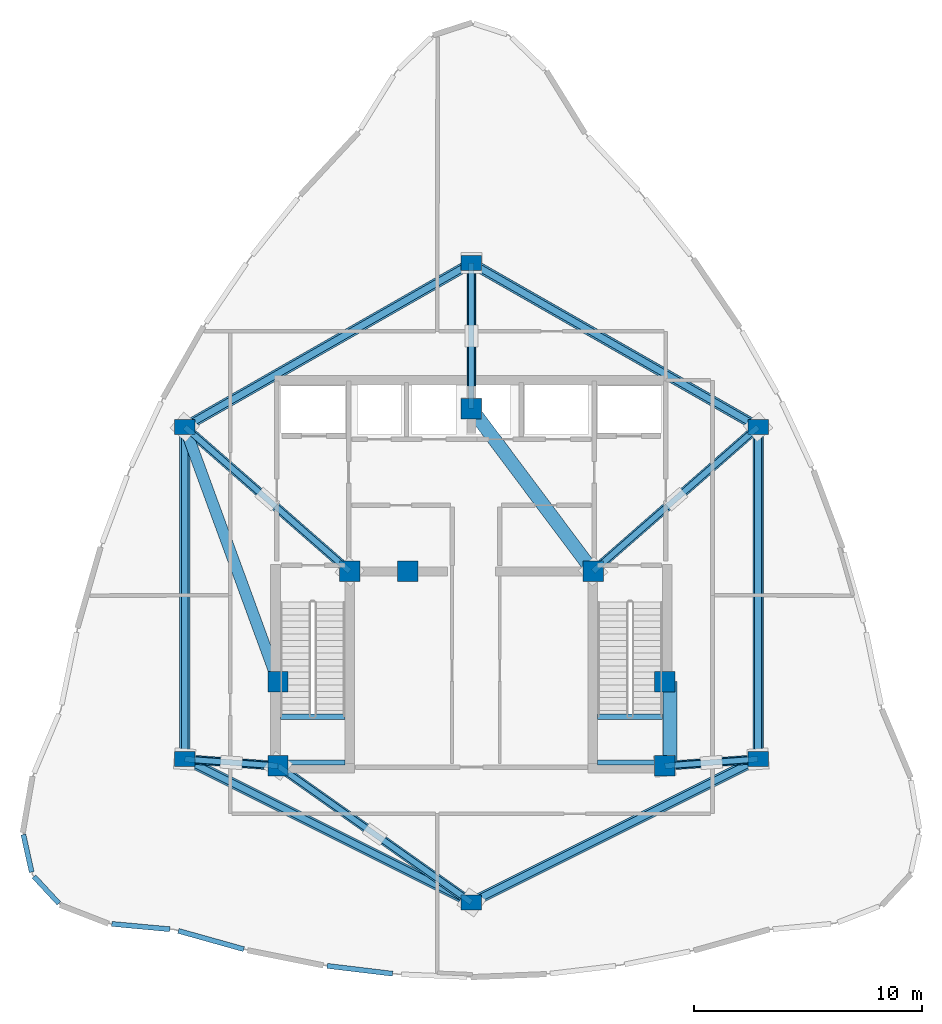
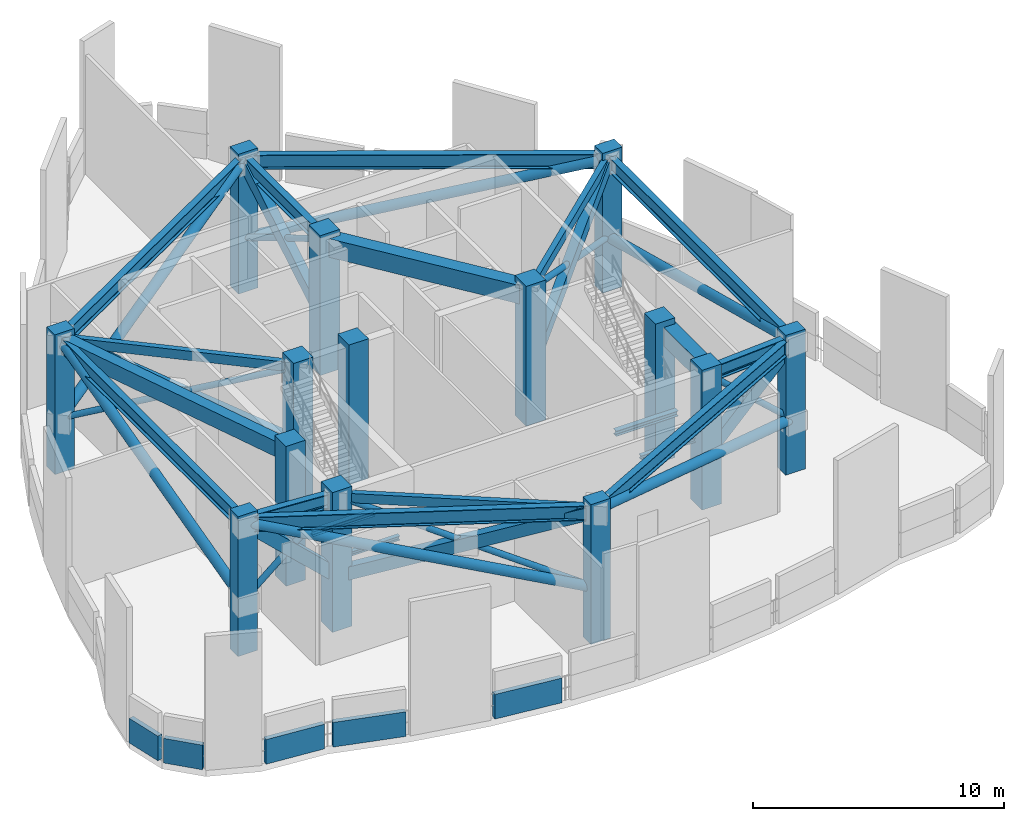
# One storey, part 1 of 8: 30 members, 16 beams, 14 columns, 5 plates.
"""IFC4 building model written with IfcOpenShell, lengths in metres."""

from ifc_helpers import new_model, si_unit, direction, frame, origin, origin_2d, place, context, subcontext, project, spatial, rectangle, hollow_rectangle, hollow_circle, i_section, extrude, material, layer, layer_set, material_profile, profile_set, type_object, element, save


model = new_model("IFC4")

# Units and contexts
model_context = context("Model", 3, precision=1e-05, world=origin(), true_north=direction((0.0, 1.0)))
body_context = subcontext(model_context, "Body", "Model", "MODEL_VIEW")
ifc_project = project(units=[si_unit("LENGTHUNIT", "METRE"), si_unit("AREAUNIT", "SQUARE_METRE"), si_unit("VOLUMEUNIT", "CUBIC_METRE"), si_unit("PLANEANGLEUNIT", "RADIAN"), si_unit("MASSUNIT", "GRAM", prefix="KILO")], contexts=[model_context])

# Site, building, storey
site_placement = place(None, origin())
site = spatial("IfcSite", under=ifc_project, at=site_placement, CompositionType="ELEMENT")
building_placement = place(site_placement, origin())
building = spatial("IfcBuilding", under=site, at=building_placement, Name="Miruveldt Soraemaru", CompositionType="ELEMENT")
storey_placement = place(building_placement, frame((0.0, 0.0, 282.800048828125)))
storey = spatial("IfcBuildingStorey", under=building, at=storey_placement, Name="L77", CompositionType="ELEMENT", Elevation=282.800048828125)

# Columns
ifc_material_1 = material(Name="Concrete C50/60 (50 MPa)", Category="concrete")
ifc_material_profile_1 = material_profile(ifc_material_1, rectangle(XDim=0.89990234375, YDim=0.89990234375, at=origin_2d()), Name="Concrete C50/60 (50 MPa)", Category="concrete")
ifc_profile_set_1 = profile_set([ifc_material_profile_1], Name="Concrete C50/60 (50 MPa)")
column_type_1 = type_object("IfcColumnType", Name="COL-CORE-900", PredefinedType="COLUMN", material=ifc_profile_set_1)
for number, where, z_axis, x_axis, name in (
    (1, (35.5, 35.5, 0.0), (0.0, 0.0, 1.0), (1.0, 0.0, 0.0), "L77 Structural Column CC1"),
    (2, (38.64990234375, 44.050048828125, 0.0), (0.0, 0.0, 1.0), (1.0, 0.0, 0.0), "L77 Structural Column CC2"),
    (3, (52.5, 35.5, 0.0), (0.0, 0.0, 1.0), (1.0, 0.0, 0.0), "L77 Structural Column CC3"),
    (4, (52.5, 39.199951171875, 0.0), (0.0, 0.0, 1.0), (1.0, 0.0, 0.0), "L77 Structural Column CC4"),
    (5, (49.35009765625, 44.050048828125, 0.0), (0.0, 0.0, 1.0), (1.0, 0.0, 0.0), "L77 Structural Column CC5"),
    (6, (44.0, 51.199951171875, 0.0), (0.0, 0.0, 1.0), (1.0, 0.0, 0.0), "L77 Structural Column CC6"),
    (7, (35.5, 39.199951171875, 0.0), (0.0, 0.0, 1.0), (1.0, 0.0, 0.0), "L77 Structural Column CC7"),
    (8, (41.199951171875, 44.050048828125, 0.0), (0.0, 0.0, 1.0), (1.0, 0.0, 0.0), "L77 Structural Column CC8"),
):
    element("IfcColumn", number, at=place(storey_placement, frame(where, z_axis=z_axis, x_axis=x_axis)), inside=storey, type_object=column_type_1, Name=name, PredefinedType="COLUMN", context=body_context, shape_type="SweptSolid", body=[
        extrude(rectangle(XDim=0.89990234375, YDim=0.89990234375, at=origin_2d()), origin(), (0.0, 0.0, 1.0), 6.800048828125),
    ])
ifc_material_profile_2 = material_profile(ifc_material_1, rectangle(XDim=0.89990234375, YDim=0.64990234375, at=origin_2d()), Name="Concrete C50/60 (50 MPa)", Category="concrete")
ifc_profile_set_2 = profile_set([ifc_material_profile_2], Name="Concrete C50/60 (50 MPa)")
column_type_2 = type_object("IfcColumnType", Name="COL-TW-Z4", PredefinedType="COLUMN", material=ifc_profile_set_2)
for number, where, z_axis, x_axis, name in (
    (9, (44.0, 57.60009765625, 0.0), (0.0, 0.0, 1.0), (1.0, 0.0, 0.0), "L77 Structural Column IR01"),
    (10, (56.60009765625, 50.39990234375, 0.0), (0.0, 0.0, 1.0), (1.0, 0.0, 0.0), "L77 Structural Column IR02"),
    (11, (56.60009765625, 35.800048828125, 0.0), (0.0, 0.0, 1.0), (1.0, 0.0, 0.0), "L77 Structural Column IR03"),
    (12, (44.0, 29.5, 0.0), (0.0, 0.0, 1.0), (1.0, 0.0, 0.0), "L77 Structural Column IR04"),
    (13, (31.39990234375, 35.800048828125, 0.0), (0.0, 0.0, 1.0), (1.0, 0.0, 0.0), "L77 Structural Column IR05"),
    (14, (31.39990234375, 50.39990234375, 0.0), (0.0, 0.0, 1.0), (1.0, 0.0, 0.0), "L77 Structural Column IR06"),
):
    element("IfcColumn", number, at=place(storey_placement, frame(where, z_axis=z_axis, x_axis=x_axis)), inside=storey, type_object=column_type_2, Name=name, PredefinedType="COLUMN", context=body_context, shape_type="SweptSolid", body=[
        extrude(rectangle(XDim=0.89990234375, YDim=0.64990234375, at=origin_2d()), origin(), (0.0, 0.0, 1.0), 6.800048828125),
    ])

# Beams
ifc_material_2 = material(Name="Concrete C40/50 (40 MPa)", Category="concrete")
ifc_material_profile_3 = material_profile(ifc_material_2, rectangle(XDim=0.5, YDim=0.75, at=origin_2d()), Name="Concrete C40/50 (40 MPa)", Category="concrete")
ifc_profile_set_3 = profile_set([ifc_material_profile_3], Name="Concrete C40/50 (40 MPa)")
beam_type_1 = type_object("IfcBeamType", Name="BM-RC-500x750", PredefinedType="LINTEL", material=ifc_profile_set_3)
beam_1_placement = place(storey_placement, frame((31.39990234375, 50.39990234375, 6.135009765625), z_axis=(0.343770424598, -0.939053723262, 0.0), x_axis=(0.939053723262, 0.343770424598, 0.0)))
element("IfcBeam", 15, at=beam_1_placement, inside=storey, type_object=beam_type_1, Name="L77 West Lobby Lintel", PredefinedType="LINTEL", context=body_context, shape_type="SweptSolid", body=[
    extrude(rectangle(XDim=0.5, YDim=0.75, at=origin_2d()), origin(), (0.0, 0.0, 1.0), 11.9267578125),
])
ifc_material_3 = material(Name="Concrete C60/75 (60 MPa)", Category="concrete")
ifc_material_profile_4 = material_profile(ifc_material_3, rectangle(XDim=0.60009765625, YDim=0.89990234375, at=origin_2d()), Name="Concrete C60/75 (60 MPa)", Category="concrete")
ifc_profile_set_4 = profile_set([ifc_material_profile_4], Name="Concrete C60/75 (60 MPa)")
beam_type_2 = type_object("IfcBeamType", Name="BM-RC-600x900", PredefinedType="BEAM", material=ifc_profile_set_4)
beam_2_placement = place(storey_placement, frame((52.72998046875, 35.5, 6.06005859375), z_axis=(0.0, 1.0, 0.0), x_axis=(-1.0, 0.0, 0.0)))
element("IfcBeam", 16, at=beam_2_placement, inside=storey, type_object=beam_type_2, Name="L77 Core Tie Beam 3", PredefinedType="BEAM", context=body_context, shape_type="SweptSolid", body=[
    extrude(rectangle(XDim=0.60009765625, YDim=0.89990234375, at=origin_2d()), origin(), (0.0, 0.0, 1.0), 3.699951171875),
])
beam_3_placement = place(storey_placement, frame((49.35009765625, 44.050048828125, 6.06005859375), z_axis=(-0.599116023999, 0.800662219533, 0.0), x_axis=(-0.800662219533, -0.599116023999, 0.0)))
element("IfcBeam", 17, at=beam_3_placement, inside=storey, type_object=beam_type_2, Name="L77 Core Tie Beam 5", PredefinedType="BEAM", context=body_context, shape_type="SweptSolid", body=[
    extrude(rectangle(XDim=0.60009765625, YDim=0.89990234375, at=origin_2d()), origin(), (0.0, 0.0, 1.0), 8.929931640625),
])
ifc_material_4 = material(Name="Steel SM355 (355 MPa)", Category="steel")
ifc_material_profile_5 = material_profile(ifc_material_4, i_section(OverallWidth=0.300048828125, OverallDepth=0.699951171875, WebThickness=0.012939453125, FlangeThickness=0.02392578125, FilletRadius=0.028076171875, at=origin_2d()), Name="Steel SM355 (355 MPa)", Category="steel")
ifc_profile_set_5 = profile_set([ifc_material_profile_5], Name="Steel SM355 (355 MPa)")
beam_type_3 = type_object("IfcBeamType", Name="BM-ST-H700", PredefinedType="BEAM", material=ifc_profile_set_5)
beam_4_placement = place(storey_placement, frame((44.0, 57.60009765625, 6.159912109375), z_axis=(0.868239001029, -0.496146185203, 0.0), x_axis=(0.496146185203, 0.868239001029, 0.0)))
element("IfcBeam", 18, at=beam_4_placement, inside=storey, type_object=beam_type_3, Name="L77 Inner Ring Girder 1", PredefinedType="BEAM", context=body_context, shape_type="SweptSolid", body=[
    extrude(i_section(OverallWidth=0.300048828125, OverallDepth=0.699951171875, WebThickness=0.012939453125, FlangeThickness=0.02392578125, FilletRadius=0.028076171875, at=origin_2d()), origin(), (0.0, 0.0, 1.0), 14.51220703125),
])
beam_5_placement = place(storey_placement, frame((44.0, 51.199951171875, 6.159912109375), z_axis=(0.0, 1.0, 0.0), x_axis=(-1.0, 0.0, 0.0)))
element("IfcBeam", 19, at=beam_5_placement, inside=storey, type_object=beam_type_3, Name="L77 Core-to-Inner Radial Girder 1", PredefinedType="BEAM", context=body_context, shape_type="SweptSolid", body=[
    extrude(i_section(OverallWidth=0.300048828125, OverallDepth=0.699951171875, WebThickness=0.012939453125, FlangeThickness=0.02392578125, FilletRadius=0.028076171875, at=origin_2d()), origin(), (0.0, 0.0, 1.0), 6.400146484375),
])
beam_6_placement = place(storey_placement, frame((56.60009765625, 50.39990234375, 6.159912109375), z_axis=(0.0, -1.0, 0.0), x_axis=(1.0, 0.0, 0.0)))
element("IfcBeam", 20, at=beam_6_placement, inside=storey, type_object=beam_type_3, Name="L77 Inner Ring Girder 2", PredefinedType="BEAM", context=body_context, shape_type="SweptSolid", body=[
    extrude(i_section(OverallWidth=0.300048828125, OverallDepth=0.699951171875, WebThickness=0.012939453125, FlangeThickness=0.02392578125, FilletRadius=0.028076171875, at=origin_2d()), origin(), (0.0, 0.0, 1.0), 14.599853515625),
])
beam_7_placement = place(storey_placement, frame((56.60009765625, 35.800048828125, 6.159912109375), z_axis=(-0.894427191, -0.4472135955, 0.0), x_axis=(0.4472135955, -0.894427191, 0.0)))
element("IfcBeam", 21, at=beam_7_placement, inside=storey, type_object=beam_type_3, Name="L77 Inner Ring Girder 3", PredefinedType="BEAM", context=body_context, shape_type="SweptSolid", body=[
    extrude(i_section(OverallWidth=0.300048828125, OverallDepth=0.699951171875, WebThickness=0.012939453125, FlangeThickness=0.02392578125, FilletRadius=0.028076171875, at=origin_2d()), origin(), (0.0, 0.0, 1.0), 14.08740234375),
])
beam_8_placement = place(storey_placement, frame((52.5, 35.5, 6.159912109375), z_axis=(0.997332985605, 0.072985723431, 0.0), x_axis=(-0.072985723431, 0.997332985605, 0.0)))
element("IfcBeam", 22, at=beam_8_placement, inside=storey, type_object=beam_type_3, Name="L77 Core-to-Inner Radial Girder 3", PredefinedType="BEAM", context=body_context, shape_type="SweptSolid", body=[
    extrude(i_section(OverallWidth=0.300048828125, OverallDepth=0.699951171875, WebThickness=0.012939453125, FlangeThickness=0.02392578125, FilletRadius=0.028076171875, at=origin_2d()), origin(), (0.0, 0.0, 1.0), 4.111083984375),
])
beam_9_placement = place(storey_placement, frame((44.0, 29.5, 6.159912109375), z_axis=(-0.894427191, 0.4472135955, 0.0), x_axis=(-0.4472135955, -0.894427191, 0.0)))
element("IfcBeam", 23, at=beam_9_placement, inside=storey, type_object=beam_type_3, Name="L77 Inner Ring Girder 4", PredefinedType="BEAM", context=body_context, shape_type="SweptSolid", body=[
    extrude(i_section(OverallWidth=0.300048828125, OverallDepth=0.699951171875, WebThickness=0.012939453125, FlangeThickness=0.02392578125, FilletRadius=0.028076171875, at=origin_2d()), origin(), (0.0, 0.0, 1.0), 14.08740234375),
])
beam_10_placement = place(storey_placement, frame((31.39990234375, 35.800048828125, 6.159912109375), z_axis=(0.0, 1.0, 0.0), x_axis=(-1.0, 0.0, 0.0)))
element("IfcBeam", 24, at=beam_10_placement, inside=storey, type_object=beam_type_3, Name="L77 Inner Ring Girder 5", PredefinedType="BEAM", context=body_context, shape_type="SweptSolid", body=[
    extrude(i_section(OverallWidth=0.300048828125, OverallDepth=0.699951171875, WebThickness=0.012939453125, FlangeThickness=0.02392578125, FilletRadius=0.028076171875, at=origin_2d()), origin(), (0.0, 0.0, 1.0), 14.599853515625),
])
beam_11_placement = place(storey_placement, frame((35.5, 35.5, 6.159912109375), z_axis=(-0.997332985605, 0.072985723431, 0.0), x_axis=(-0.072985723431, -0.997332985605, 0.0)))
element("IfcBeam", 25, at=beam_11_placement, inside=storey, type_object=beam_type_3, Name="L77 Core-to-Inner Radial Girder 5", PredefinedType="BEAM", context=body_context, shape_type="SweptSolid", body=[
    extrude(i_section(OverallWidth=0.300048828125, OverallDepth=0.699951171875, WebThickness=0.012939453125, FlangeThickness=0.02392578125, FilletRadius=0.028076171875, at=origin_2d()), origin(), (0.0, 0.0, 1.0), 4.111083984375),
])
beam_12_placement = place(storey_placement, frame((31.39990234375, 50.39990234375, 6.159912109375), z_axis=(0.868239001029, 0.496146185203, 0.0), x_axis=(-0.496146185203, 0.868239001029, 0.0)))
element("IfcBeam", 26, at=beam_12_placement, inside=storey, type_object=beam_type_3, Name="L77 Inner Ring Girder 6", PredefinedType="BEAM", context=body_context, shape_type="SweptSolid", body=[
    extrude(i_section(OverallWidth=0.300048828125, OverallDepth=0.699951171875, WebThickness=0.012939453125, FlangeThickness=0.02392578125, FilletRadius=0.028076171875, at=origin_2d()), origin(), (0.0, 0.0, 1.0), 14.51220703125),
])
ifc_material_profile_6 = material_profile(ifc_material_4, i_section(OverallWidth=0.199951171875, OverallDepth=0.199951171875, WebThickness=0.008056640625, FlangeThickness=0.011962890625, FilletRadius=0.012939453125, at=origin_2d()), Name="Steel SM355 (355 MPa)", Category="steel")
ifc_profile_set_6 = profile_set([ifc_material_profile_6], Name="Steel SM355 (355 MPa)")
beam_type_4 = type_object("IfcBeamType", Name="BM-ST-LND200", PredefinedType="BEAM", material=ifc_profile_set_6)
for number, where, z_axis, x_axis, name in (
    (27, (35.60009765625, 35.64990234375, 3.099853515625), (1.0, 0.0, 0.0), (0.0, 1.0, 0.0), "L77 ST1 Landing End Beam 1B"),
    (28, (49.550048828125, 35.64990234375, 3.099853515625), (1.0, 0.0, 0.0), (0.0, 1.0, 0.0), "L77 ST2 Landing End Beam 1B"),
):
    element("IfcBeam", number, at=place(storey_placement, frame(where, z_axis=z_axis, x_axis=x_axis)), inside=storey, type_object=beam_type_4, Name=name, PredefinedType="BEAM", context=body_context, shape_type="SweptSolid", body=[
        extrude(i_section(OverallWidth=0.199951171875, OverallDepth=0.199951171875, WebThickness=0.008056640625, FlangeThickness=0.011962890625, FilletRadius=0.012939453125, at=origin_2d()), origin(), (0.0, 0.0, 1.0), 2.849853515625),
    ])
ifc_material_profile_7 = material_profile(ifc_material_4, i_section(OverallWidth=0.25, OverallDepth=0.25, WebThickness=0.009033203125, FlangeThickness=0.013916015625, FilletRadius=0.01611328125, at=origin_2d()), Name="Steel SM355 (355 MPa)", Category="steel")
ifc_profile_set_7 = profile_set([ifc_material_profile_7], Name="Steel SM355 (355 MPa)")
beam_type_5 = type_object("IfcBeamType", Name="BM-ST-LND250", PredefinedType="BEAM", material=ifc_profile_set_7)
for number, where, z_axis, x_axis, name in (
    (29, (35.60009765625, 37.659912109375, 3.074951171875), (1.0, 0.0, 0.0), (0.0, 1.0, 0.0), "L77 ST1 Landing Support Beam 1A"),
    (30, (49.550048828125, 37.659912109375, 3.074951171875), (1.0, 0.0, 0.0), (0.0, 1.0, 0.0), "L77 ST2 Landing Support Beam 1A"),
):
    element("IfcBeam", number, at=place(storey_placement, frame(where, z_axis=z_axis, x_axis=x_axis)), inside=storey, type_object=beam_type_5, Name=name, PredefinedType="BEAM", context=body_context, shape_type="SweptSolid", body=[
        extrude(i_section(OverallWidth=0.25, OverallDepth=0.25, WebThickness=0.009033203125, FlangeThickness=0.013916015625, FilletRadius=0.01611328125, at=origin_2d()), origin(), (0.0, 0.0, 1.0), 2.849853515625),
    ])

# Members
ifc_material_5 = material(Name="Steel S460 (460 MPa)", Category="steel")
ifc_material_profile_8 = material_profile(ifc_material_5, hollow_circle(Radius=0.228515625, WallThickness=0.01611328125, at=origin_2d()), Name="Steel S460 (460 MPa)", Category="steel")
ifc_profile_set_8 = profile_set([ifc_material_profile_8], Name="Steel S460 (460 MPa)")
member_type_1 = type_object("IfcMemberType", Name="MEM-BLT-CHS457", PredefinedType="BRACE", material=ifc_profile_set_8)
member_1_placement = place(storey_placement, frame((44.0, 57.60009765625, 2.419921875), z_axis=(0.839779203669, -0.479883128746, 0.253935172495), x_axis=(0.496146185203, 0.868239001029, 0.0)))
element("IfcMember", 31, at=member_1_placement, inside=storey, type_object=member_type_1, Name="L77 Belt Truss Diagonal 1", PredefinedType="BRACE", context=body_context, shape_type="SweptSolid", body=[
    extrude(hollow_circle(Radius=0.228515625, WallThickness=0.01611328125, at=origin_2d()), origin(), (0.0, 0.0, 1.0), 15.004150390625),
])
member_2_placement = place(storey_placement, frame((56.60009765625, 50.39990234375, 2.419921875), z_axis=(0.0, -0.967594587516, 0.252508839865), x_axis=(1.0, 0.0, 0.0)))
element("IfcMember", 32, at=member_2_placement, inside=storey, type_object=member_type_1, Name="L77 Belt Truss Diagonal 2", PredefinedType="BRACE", context=body_context, shape_type="SweptSolid", body=[
    extrude(hollow_circle(Radius=0.228515625, WallThickness=0.01611328125, at=origin_2d()), origin(), (0.0, 0.0, 1.0), 15.0888671875),
])
for number, where, z_axis, x_axis, name in (
    (33, (56.60009765625, 35.800048828125, 2.419921875), (-0.863406035876, -0.431703017938, 0.261079531019), (0.4472135955, -0.894427191, 0.0), "L77 Belt Truss Diagonal 3"),
    (34, (44.0, 29.5, 2.419921875), (-0.863406035876, 0.431703017938, 0.261079531019), (-0.4472135955, -0.894427191, 0.0), "L77 Belt Truss Diagonal 4"),
):
    element("IfcMember", number, at=place(storey_placement, frame(where, z_axis=z_axis, x_axis=x_axis)), inside=storey, type_object=member_type_1, Name=name, PredefinedType="BRACE", context=body_context, shape_type="SweptSolid", body=[
        extrude(hollow_circle(Radius=0.228515625, WallThickness=0.01611328125, at=origin_2d()), origin(), (0.0, 0.0, 1.0), 14.593505859375),
    ])
member_3_placement = place(storey_placement, frame((31.39990234375, 35.800048828125, 2.419921875), z_axis=(0.0, 0.967594587516, 0.252508839865), x_axis=(-1.0, 0.0, 0.0)))
element("IfcMember", 35, at=member_3_placement, inside=storey, type_object=member_type_1, Name="L77 Belt Truss Diagonal 5", PredefinedType="BRACE", context=body_context, shape_type="SweptSolid", body=[
    extrude(hollow_circle(Radius=0.228515625, WallThickness=0.01611328125, at=origin_2d()), origin(), (0.0, 0.0, 1.0), 15.0888671875),
])
member_4_placement = place(storey_placement, frame((31.39990234375, 50.39990234375, 2.419921875), z_axis=(0.839779203669, 0.479883128746, 0.253935172495), x_axis=(-0.496146185203, 0.868239001029, 0.0)))
element("IfcMember", 36, at=member_4_placement, inside=storey, type_object=member_type_1, Name="L77 Belt Truss Diagonal 6", PredefinedType="BRACE", context=body_context, shape_type="SweptSolid", body=[
    extrude(hollow_circle(Radius=0.228515625, WallThickness=0.01611328125, at=origin_2d()), origin(), (0.0, 0.0, 1.0), 15.004150390625),
])
ifc_material_profile_9 = material_profile(ifc_material_5, hollow_rectangle(XDim=0.25, YDim=0.449951171875, WallThickness=0.01611328125, at=origin_2d()), Name="Steel S460 (460 MPa)", Category="steel")
ifc_profile_set_9 = profile_set([ifc_material_profile_9], Name="Steel S460 (460 MPa)")
member_type_2 = type_object("IfcMemberType", Name="MEM-CHD-RHS450", PredefinedType="CHORD", material=ifc_profile_set_9)
member_5_placement = place(storey_placement, frame((44.0, 51.199951171875, 6.22998046875), z_axis=(0.0, 1.0, 0.0), x_axis=(-1.0, 0.0, 0.0)))
element("IfcMember", 37, at=member_5_placement, inside=storey, type_object=member_type_2, Name="L77 Outrigger Top Chord 1", PredefinedType="CHORD", context=body_context, shape_type="SweptSolid", body=[
    extrude(hollow_rectangle(XDim=0.25, YDim=0.449951171875, WallThickness=0.01611328125, at=origin_2d()), origin(), (0.0, 0.0, 1.0), 6.400146484375),
])
member_6_placement = place(storey_placement, frame((49.35009765625, 44.050048828125, 6.22998046875), z_axis=(0.752262759904, 0.658863218021, 0.0), x_axis=(-0.658863218021, 0.752262759904, 0.0)))
element("IfcMember", 38, at=member_6_placement, inside=storey, type_object=member_type_2, Name="L77 Outrigger Top Chord 2", PredefinedType="CHORD", context=body_context, shape_type="SweptSolid", body=[
    extrude(hollow_rectangle(XDim=0.25, YDim=0.449951171875, WallThickness=0.01611328125, at=origin_2d()), origin(), (0.0, 0.0, 1.0), 9.6376953125),
])
member_7_placement = place(storey_placement, frame((52.5, 35.5, 6.22998046875), z_axis=(0.997332985605, 0.072985723431, 0.0), x_axis=(-0.072985723431, 0.997332985605, 0.0)))
element("IfcMember", 39, at=member_7_placement, inside=storey, type_object=member_type_2, Name="L77 Outrigger Top Chord 3", PredefinedType="CHORD", context=body_context, shape_type="SweptSolid", body=[
    extrude(hollow_rectangle(XDim=0.25, YDim=0.449951171875, WallThickness=0.01611328125, at=origin_2d()), origin(), (0.0, 0.0, 1.0), 4.111083984375),
])
member_8_placement = place(storey_placement, frame((35.5, 35.5, 6.22998046875), z_axis=(0.816967863265, -0.576683197599, 0.0), x_axis=(0.576683197599, 0.816967863265, 0.0)))
element("IfcMember", 40, at=member_8_placement, inside=storey, type_object=member_type_2, Name="L77 Outrigger Top Chord 4", PredefinedType="CHORD", context=body_context, shape_type="SweptSolid", body=[
    extrude(hollow_rectangle(XDim=0.25, YDim=0.449951171875, WallThickness=0.01611328125, at=origin_2d()), origin(), (0.0, 0.0, 1.0), 10.404296875),
])
member_9_placement = place(storey_placement, frame((35.5, 35.5, 6.22998046875), z_axis=(-0.997332985605, 0.072985723431, 0.0), x_axis=(-0.072985723431, -0.997332985605, 0.0)))
element("IfcMember", 41, at=member_9_placement, inside=storey, type_object=member_type_2, Name="L77 Outrigger Top Chord 5", PredefinedType="CHORD", context=body_context, shape_type="SweptSolid", body=[
    extrude(hollow_rectangle(XDim=0.25, YDim=0.449951171875, WallThickness=0.01611328125, at=origin_2d()), origin(), (0.0, 0.0, 1.0), 4.111083984375),
])
member_10_placement = place(storey_placement, frame((38.64990234375, 44.050048828125, 6.22998046875), z_axis=(-0.752262759904, 0.658863218021, 0.0), x_axis=(-0.658863218021, -0.752262759904, 0.0)))
element("IfcMember", 42, at=member_10_placement, inside=storey, type_object=member_type_2, Name="L77 Outrigger Top Chord 6", PredefinedType="CHORD", context=body_context, shape_type="SweptSolid", body=[
    extrude(hollow_rectangle(XDim=0.25, YDim=0.449951171875, WallThickness=0.01611328125, at=origin_2d()), origin(), (0.0, 0.0, 1.0), 9.6376953125),
])
ifc_material_profile_10 = material_profile(ifc_material_5, hollow_rectangle(XDim=0.39990234375, YDim=0.60009765625, WallThickness=0.02197265625, at=origin_2d()), Name="Steel S460 (460 MPa)", Category="steel")
ifc_profile_set_10 = profile_set([ifc_material_profile_10], Name="Steel S460 (460 MPa)")
member_type_3 = type_object("IfcMemberType", Name="MEM-OUT-RHS600", PredefinedType="BRACE", material=ifc_profile_set_10)
member_11_placement = place(storey_placement, frame((44.0, 51.199951171875, 2.419921875), z_axis=(0.0, 0.859266471793, 0.511528230357), x_axis=(-1.0, 0.0, 0.0)))
element("IfcMember", 43, at=member_11_placement, inside=storey, type_object=member_type_3, Name="L77 Outrigger Continuous Diagonal 1", PredefinedType="BRACE", context=body_context, shape_type="SweptSolid", body=[
    extrude(hollow_rectangle(XDim=0.39990234375, YDim=0.60009765625, WallThickness=0.02197265625, at=origin_2d()), origin(), (0.0, 0.0, 1.0), 7.448486328125),
])
member_12_placement = place(storey_placement, frame((49.35009765625, 44.050048828125, 2.419921875), z_axis=(0.69957857491, 0.61272020322, 0.367646256736), x_axis=(-0.658863218021, 0.752262759904, 0.0)))
element("IfcMember", 44, at=member_12_placement, inside=storey, type_object=member_type_3, Name="L77 Outrigger Continuous Diagonal 2", PredefinedType="BRACE", context=body_context, shape_type="SweptSolid", body=[
    extrude(hollow_rectangle(XDim=0.39990234375, YDim=0.60009765625, WallThickness=0.02197265625, at=origin_2d()), origin(), (0.0, 0.0, 1.0), 10.36328125),
])
member_13_placement = place(storey_placement, frame((52.5, 35.5, 2.419921875), z_axis=(0.731491429447, 0.053531199642, 0.679746055017), x_axis=(-0.072985723431, 0.997332985605, 0.0)))
element("IfcMember", 45, at=member_13_placement, inside=storey, type_object=member_type_3, Name="L77 Outrigger Continuous Diagonal 3", PredefinedType="BRACE", context=body_context, shape_type="SweptSolid", body=[
    extrude(hollow_rectangle(XDim=0.39990234375, YDim=0.60009765625, WallThickness=0.02197265625, at=origin_2d()), origin(), (0.0, 0.0, 1.0), 5.605224609375),
])
member_14_placement = place(storey_placement, frame((35.5, 35.5, 2.419921875), z_axis=(0.767147556751, -0.541515922413, 0.343867898973), x_axis=(0.576683197599, 0.816967863265, 0.0)))
element("IfcMember", 46, at=member_14_placement, inside=storey, type_object=member_type_3, Name="L77 Outrigger Continuous Diagonal 4", PredefinedType="BRACE", context=body_context, shape_type="SweptSolid", body=[
    extrude(hollow_rectangle(XDim=0.39990234375, YDim=0.60009765625, WallThickness=0.02197265625, at=origin_2d()), origin(), (0.0, 0.0, 1.0), 11.080078125),
])
member_15_placement = place(storey_placement, frame((35.5, 35.5, 2.419921875), z_axis=(-0.731491429447, 0.053531199642, 0.679746055017), x_axis=(-0.072985723431, -0.997332985605, 0.0)))
element("IfcMember", 47, at=member_15_placement, inside=storey, type_object=member_type_3, Name="L77 Outrigger Continuous Diagonal 5", PredefinedType="BRACE", context=body_context, shape_type="SweptSolid", body=[
    extrude(hollow_rectangle(XDim=0.39990234375, YDim=0.60009765625, WallThickness=0.02197265625, at=origin_2d()), origin(), (0.0, 0.0, 1.0), 5.605224609375),
])
member_16_placement = place(storey_placement, frame((38.64990234375, 44.050048828125, 2.419921875), z_axis=(-0.69957857491, 0.61272020322, 0.367646256736), x_axis=(-0.658863218021, -0.752262759904, 0.0)))
element("IfcMember", 48, at=member_16_placement, inside=storey, type_object=member_type_3, Name="L77 Outrigger Continuous Diagonal 6", PredefinedType="BRACE", context=body_context, shape_type="SweptSolid", body=[
    extrude(hollow_rectangle(XDim=0.39990234375, YDim=0.60009765625, WallThickness=0.02197265625, at=origin_2d()), origin(), (0.0, 0.0, 1.0), 10.36328125),
])
ifc_material_profile_11 = material_profile(ifc_material_4, hollow_circle(Radius=0.136474609375, WallThickness=0.010009765625, at=origin_2d()), Name="Steel SM355 (355 MPa)", Category="steel")
ifc_profile_set_11 = profile_set([ifc_material_profile_11], Name="Steel SM355 (355 MPa)")
member_type_4 = type_object("IfcMemberType", Name="MEM-STR-CHS273", PredefinedType="STRUT", material=ifc_profile_set_11)
member_17_placement = place(storey_placement, frame((44.0, 51.199951171875, 6.22998046875), z_axis=(0.0, 0.85925789479, -0.511542637754), x_axis=(-1.0, 0.0, 0.0)))
element("IfcMember", 49, at=member_17_placement, inside=storey, type_object=member_type_4, Name="L77 Outrigger Split Strut Upper 1A", PredefinedType="STRUT", context=body_context, shape_type="SweptSolid", body=[
    extrude(hollow_circle(Radius=0.136474609375, WallThickness=0.010009765625, at=origin_2d()), origin(), (0.0, 0.0, 1.0), 3.72412109375),
])
member_18_placement = place(storey_placement, frame((44.0, 54.39990234375, 4.324951171875), z_axis=(0.0, 0.859275048072, -0.511513823627), x_axis=(-1.0, 0.0, 0.0)))
element("IfcMember", 50, at=member_18_placement, inside=storey, type_object=member_type_4, Name="L77 Outrigger Split Strut Lower 1B", PredefinedType="STRUT", context=body_context, shape_type="SweptSolid", body=[
    extrude(hollow_circle(Radius=0.136474609375, WallThickness=0.010009765625, at=origin_2d()), origin(), (0.0, 0.0, 1.0), 3.724365234375),
])
member_19_placement = place(storey_placement, frame((49.35009765625, 44.050048828125, 6.22998046875), z_axis=(0.699568476891, 0.612734916619, -0.367640949972), x_axis=(-0.658877553092, 0.752250204407, 0.0)))
element("IfcMember", 51, at=member_19_placement, inside=storey, type_object=member_type_4, Name="L77 Outrigger Split Strut Upper 2A", PredefinedType="STRUT", context=body_context, shape_type="SweptSolid", body=[
    extrude(hollow_circle(Radius=0.136474609375, WallThickness=0.010009765625, at=origin_2d()), origin(), (0.0, 0.0, 1.0), 5.181884765625),
])
member_20_placement = place(storey_placement, frame((52.97509765625, 47.22509765625, 4.324951171875), z_axis=(0.699588672978, 0.612705489184, -0.367651563527), x_axis=(-0.658848882232, 0.752275315547, 0.0)))
element("IfcMember", 52, at=member_20_placement, inside=storey, type_object=member_type_4, Name="L77 Outrigger Split Strut Lower 2B", PredefinedType="STRUT", context=body_context, shape_type="SweptSolid", body=[
    extrude(hollow_circle(Radius=0.136474609375, WallThickness=0.010009765625, at=origin_2d()), origin(), (0.0, 0.0, 1.0), 5.181640625),
])
for number, where, z_axis, x_axis, name in (
    (53, (52.5, 35.5, 6.22998046875), (0.731493134336, 0.053487767593, -0.679747639302), (-0.072926653125, 0.997337306664, 0.0), "L77 Outrigger Split Strut Upper 3A"),
    (54, (54.550048828125, 35.64990234375, 4.324951171875), (0.731489723182, 0.053574631387, -0.679744469452), (-0.07304479297, 0.997328661084, 0.0), "L77 Outrigger Split Strut Lower 3B"),
):
    element("IfcMember", number, at=place(storey_placement, frame(where, z_axis=z_axis, x_axis=x_axis)), inside=storey, type_object=member_type_4, Name=name, PredefinedType="STRUT", context=body_context, shape_type="SweptSolid", body=[
        extrude(hollow_circle(Radius=0.136474609375, WallThickness=0.010009765625, at=origin_2d()), origin(), (0.0, 0.0, 1.0), 2.802490234375),
    ])
for number, where, z_axis, x_axis, name in (
    (55, (35.5, 35.5, 6.22998046875), (0.767147556751, -0.541515922413, -0.343867898973), (0.576683197599, 0.816967863265, 0.0), "L77 Outrigger Split Strut Upper 4A"),
    (56, (39.75, 32.5, 4.324951171875), (0.767147556751, -0.541515922413, -0.343867898973), (0.576683197599, 0.816967863265, 0.0), "L77 Outrigger Split Strut Lower 4B"),
):
    element("IfcMember", number, at=place(storey_placement, frame(where, z_axis=z_axis, x_axis=x_axis)), inside=storey, type_object=member_type_4, Name=name, PredefinedType="STRUT", context=body_context, shape_type="SweptSolid", body=[
        extrude(hollow_circle(Radius=0.136474609375, WallThickness=0.010009765625, at=origin_2d()), origin(), (0.0, 0.0, 1.0), 5.5400390625),
    ])
for number, where, z_axis, x_axis, name in (
    (57, (35.5, 35.5, 6.22998046875), (-0.731493134336, 0.053487767593, -0.679747639302), (-0.072926653125, -0.997337306664, 0.0), "L77 Outrigger Split Strut Upper 5A"),
    (58, (33.449951171875, 35.64990234375, 4.324951171875), (-0.731489723182, 0.053574631387, -0.679744469452), (-0.07304479297, -0.997328661084, 0.0), "L77 Outrigger Split Strut Lower 5B"),
):
    element("IfcMember", number, at=place(storey_placement, frame(where, z_axis=z_axis, x_axis=x_axis)), inside=storey, type_object=member_type_4, Name=name, PredefinedType="STRUT", context=body_context, shape_type="SweptSolid", body=[
        extrude(hollow_circle(Radius=0.136474609375, WallThickness=0.010009765625, at=origin_2d()), origin(), (0.0, 0.0, 1.0), 2.802490234375),
    ])
member_21_placement = place(storey_placement, frame((38.64990234375, 44.050048828125, 6.22998046875), z_axis=(-0.699568476891, 0.612734916619, -0.367640949972), x_axis=(-0.658877553092, -0.752250204407, 0.0)))
element("IfcMember", 59, at=member_21_placement, inside=storey, type_object=member_type_4, Name="L77 Outrigger Split Strut Upper 6A", PredefinedType="STRUT", context=body_context, shape_type="SweptSolid", body=[
    extrude(hollow_circle(Radius=0.136474609375, WallThickness=0.010009765625, at=origin_2d()), origin(), (0.0, 0.0, 1.0), 5.181884765625),
])
member_22_placement = place(storey_placement, frame((35.02490234375, 47.22509765625, 4.324951171875), z_axis=(-0.699588672978, 0.612705489184, -0.367651563527), x_axis=(-0.658848882232, -0.752275315547, 0.0)))
element("IfcMember", 60, at=member_22_placement, inside=storey, type_object=member_type_4, Name="L77 Outrigger Split Strut Lower 6B", PredefinedType="STRUT", context=body_context, shape_type="SweptSolid", body=[
    extrude(hollow_circle(Radius=0.136474609375, WallThickness=0.010009765625, at=origin_2d()), origin(), (0.0, 0.0, 1.0), 5.181640625),
])

# Plates
ifc_material_6 = material(Name="Anodised aluminium EN AW-6063 T6", Category="aluminium")
ifc_layer = layer(ifc_material_6, 0.02001953125, Name="Anodised aluminium EN AW-6063 T6", Category="aluminium")
ifc_layer_set = layer_set([ifc_layer], Name="Anodised aluminium EN AW-6063 T6")
plate_type = type_object("IfcPlateType", Name="PLT-SHROUD-20", PredefinedType="USERDEFINED", material=ifc_layer_set)
plate_1_placement = place(storey_placement, frame((24.49169921875, 31.65869140625, 0.0), z_axis=(0.0, 0.0, 1.0), x_axis=(0.215757978057, -0.976446872546, 0.0)))
element("IfcPlate", 61, at=plate_1_placement, inside=storey, type_object=plate_type, Name="L77 Venturi Wind-Turbine Acoustic Shroud 17", ObjectType="ACOUSTIC SHROUD", PredefinedType="USERDEFINED", context=body_context, shape_type="SweptSolid", body=[
    extrude(rectangle(XDim=1.693115234375, YDim=0.219970703125, at=origin_2d()), origin(), (0.0, 0.0, 1.0), 1.199951171875),
])
plate_2_placement = place(storey_placement, frame((25.321533203125, 30.048583984375, 0.0), z_axis=(0.0, 0.0, 1.0), x_axis=(0.68017091003, -0.733053567721, 0.0)))
element("IfcPlate", 62, at=plate_2_placement, inside=storey, type_object=plate_type, Name="L77 Venturi Wind-Turbine Acoustic Shroud 18", ObjectType="ACOUSTIC SHROUD", PredefinedType="USERDEFINED", context=body_context, shape_type="SweptSolid", body=[
    extrude(rectangle(XDim=1.61083984375, YDim=0.219970703125, at=origin_2d()), origin(), (0.0, 0.0, 1.0), 1.199951171875),
])
plate_3_placement = place(storey_placement, frame((29.471923828125, 28.438232421875, 0.0), z_axis=(0.0, 0.0, 1.0), x_axis=(0.995760092541, -0.091988249809, 0.0)))
element("IfcPlate", 63, at=plate_3_placement, inside=storey, type_object=plate_type, Name="L77 Venturi Wind-Turbine Acoustic Shroud 20", ObjectType="ACOUSTIC SHROUD", PredefinedType="USERDEFINED", context=body_context, shape_type="SweptSolid", body=[
    extrude(rectangle(XDim=2.5673828125, YDim=0.219970703125, at=origin_2d()), origin(), (0.0, 0.0, 1.0), 1.199951171875),
])
plate_4_placement = place(storey_placement, frame((32.55908203125, 27.846435546875, 0.0), z_axis=(0.0, 0.0, 1.0), x_axis=(0.962965179516, -0.269625783338, 0.0)))
element("IfcPlate", 64, at=plate_4_placement, inside=storey, type_object=plate_type, Name="L77 Venturi Wind-Turbine Acoustic Shroud 21", ObjectType="ACOUSTIC SHROUD", PredefinedType="USERDEFINED", context=body_context, shape_type="SweptSolid", body=[
    extrude(rectangle(XDim=2.9873046875, YDim=0.219970703125, at=origin_2d()), origin(), (0.0, 0.0, 1.0), 1.199951171875),
])
plate_5_placement = place(storey_placement, frame((39.0966796875, 26.538818359375, 0.0), z_axis=(0.0, 0.0, 1.0), x_axis=(0.992876367296, -0.119149147143, 0.0)))
element("IfcPlate", 65, at=plate_5_placement, inside=storey, type_object=plate_type, Name="L77 Venturi Wind-Turbine Acoustic Shroud 23", ObjectType="ACOUSTIC SHROUD", PredefinedType="USERDEFINED", context=body_context, shape_type="SweptSolid", body=[
    extrude(rectangle(XDim=2.897216796875, YDim=0.219970703125, at=origin_2d()), origin(), (0.0, 0.0, 1.0), 1.199951171875),
])

save(model, "model.ifc")
